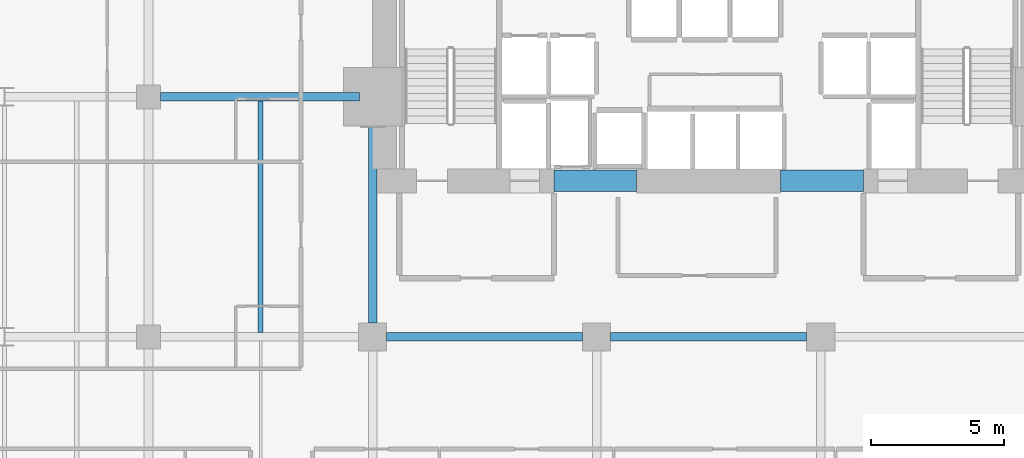
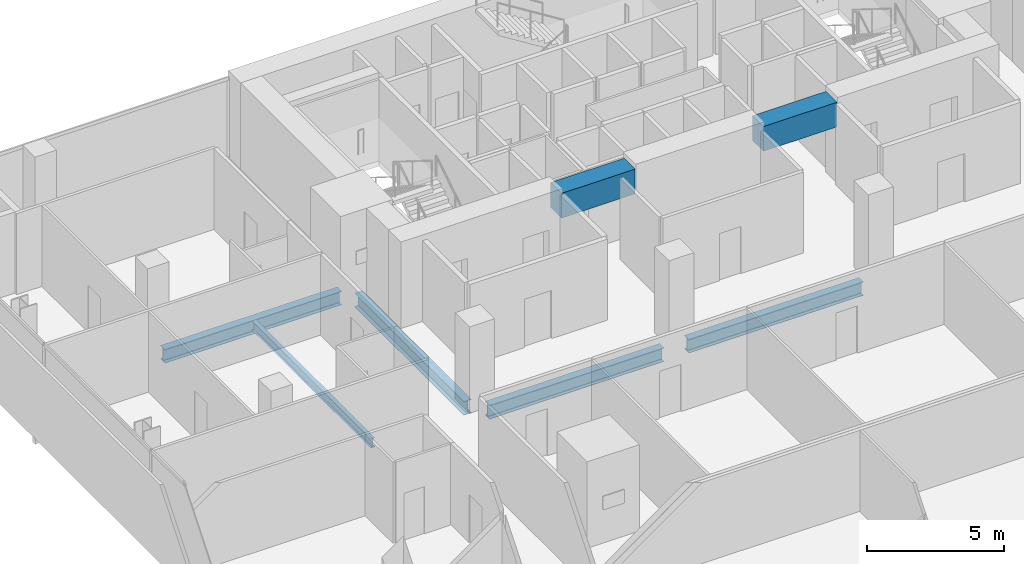
# One storey, part 24 of 40: 7 beams.
"""IFC4 building model written with IfcOpenShell, lengths in metres."""

from ifc_helpers import new_model, si_unit, direction, frame, origin, origin_2d, place, context, subcontext, project, spatial, rectangle, i_section, extrude, material, material_profile, profile_set, type_object, element, save


model = new_model("IFC4")

# Units and contexts
model_context = context("Model", 3, precision=1e-05, world=origin(), true_north=direction((0.0, 1.0)))
body_context = subcontext(model_context, "Body", "Model", "MODEL_VIEW")
ifc_project = project(units=[si_unit("LENGTHUNIT", "METRE"), si_unit("AREAUNIT", "SQUARE_METRE"), si_unit("VOLUMEUNIT", "CUBIC_METRE"), si_unit("PLANEANGLEUNIT", "RADIAN"), si_unit("MASSUNIT", "GRAM", prefix="KILO")], contexts=[model_context])

# Site, building, storey
site_placement = place(None, origin())
site = spatial("IfcSite", under=ifc_project, at=site_placement, CompositionType="ELEMENT")
building_placement = place(site_placement, origin())
building = spatial("IfcBuilding", under=site, at=building_placement, Name="Maruvema Waterfront Hotel and Observation Tower", CompositionType="ELEMENT")
storey_placement = place(building_placement, frame((0.0, 0.0, 88.550048828125)))
storey = spatial("IfcBuildingStorey", under=building, at=storey_placement, Name="L21", CompositionType="ELEMENT", Elevation=88.550048828125)

# Beams
ifc_material_1 = material(Name="Concrete C60/75", Category="concrete")
ifc_material_profile_1 = material_profile(ifc_material_1, rectangle(XDim=0.800048828125, YDim=1.10009765625, at=origin_2d()), Name="CB800x1100")
ifc_profile_set_1 = profile_set([ifc_material_profile_1], Name="Concrete C60/75")
beam_type_1 = type_object("IfcBeamType", Name="Core Coupling Lintel Beam CB800x1100", PredefinedType="LINTEL", material=ifc_profile_set_1)
for number, where, z_axis, x_axis, name in (
    (1, (32.0, 41.85009765625, 3.06005859375), (1.0, 0.0, 0.0), (0.0, 1.0, 0.0), "L21 Core Coupling Lintel Beam West"),
    (2, (40.5, 41.85009765625, 3.06005859375), (1.0, 0.0, 0.0), (0.0, 1.0, 0.0), "L21 Core Coupling Lintel Beam East"),
):
    element("IfcBeam", number, at=place(storey_placement, frame(where, z_axis=z_axis, x_axis=x_axis)), inside=storey, type_object=beam_type_1, Name=name, PredefinedType="LINTEL", context=body_context, shape_type="SweptSolid", body=[
        extrude(rectangle(XDim=0.800048828125, YDim=1.10009765625, at=origin_2d()), origin(), (0.0, 0.0, 1.0), 3.10009765625),
    ])
ifc_material_2 = material(Name="Steel ASTM A572 Grade 50", Category="steel")
ifc_material_profile_2 = material_profile(ifc_material_2, i_section(OverallWidth=0.323974609375, OverallDepth=0.611083984375, WebThickness=0.0126953125, FlangeThickness=0.01904296875, FilletRadius=0.01806640625, at=origin_2d()), Name="W610x155.0")
ifc_profile_set_2 = profile_set([ifc_material_profile_2], Name="Steel ASTM A572 Grade 50")
beam_type_2 = type_object("IfcBeamType", Name="Primary Floor Girder W610x155.0", PredefinedType="BEAM", material=ifc_profile_set_2)
beam_1_placement = place(storey_placement, frame((25.72509765625, 36.0, -0.545654296875), z_axis=(1.0, 0.0, 0.0), x_axis=(0.0, 1.0, 0.0)))
element("IfcBeam", 3, at=beam_1_placement, inside=storey, type_object=beam_type_2, Name="L21 Floor Girder EW-27", PredefinedType="BEAM", context=body_context, shape_type="SweptSolid", body=[
    extrude(i_section(OverallWidth=0.323974609375, OverallDepth=0.611083984375, WebThickness=0.0126953125, FlangeThickness=0.01904296875, FilletRadius=0.01806640625, at=origin_2d()), origin(), (0.0, 0.0, 1.0), 7.349853515625),
])
beam_2_placement = place(storey_placement, frame((34.125, 36.0, -0.545654296875), z_axis=(1.0, 0.0, 0.0), x_axis=(0.0, 1.0, 0.0)))
element("IfcBeam", 4, at=beam_2_placement, inside=storey, type_object=beam_type_2, Name="L21 Floor Girder EW-28", PredefinedType="BEAM", context=body_context, shape_type="SweptSolid", body=[
    extrude(i_section(OverallWidth=0.323974609375, OverallDepth=0.611083984375, WebThickness=0.0126953125, FlangeThickness=0.01904296875, FilletRadius=0.01806640625, at=origin_2d()), origin(), (0.0, 0.0, 1.0), 7.35009765625),
])
beam_3_placement = place(storey_placement, frame((17.25, 45.0, -0.545654296875), z_axis=(1.0, 0.0, 0.0), x_axis=(0.0, 1.0, 0.0)))
element("IfcBeam", 5, at=beam_3_placement, inside=storey, type_object=beam_type_2, Name="L21 Floor Girder EW-33", PredefinedType="BEAM", context=body_context, shape_type="SweptSolid", body=[
    extrude(i_section(OverallWidth=0.323974609375, OverallDepth=0.611083984375, WebThickness=0.0126953125, FlangeThickness=0.01904296875, FilletRadius=0.01806640625, at=origin_2d()), origin(), (0.0, 0.0, 1.0), 7.449951171875),
])
beam_4_placement = place(storey_placement, frame((25.199951171875, 36.52490234375, -0.545654296875), z_axis=(0.0, 1.0, 0.0), x_axis=(-1.0, 0.0, 0.0)))
element("IfcBeam", 6, at=beam_4_placement, inside=storey, type_object=beam_type_2, Name="L21 Floor Girder NS-15", PredefinedType="BEAM", context=body_context, shape_type="SweptSolid", body=[
    extrude(i_section(OverallWidth=0.323974609375, OverallDepth=0.611083984375, WebThickness=0.0126953125, FlangeThickness=0.01904296875, FilletRadius=0.01806640625, at=origin_2d()), origin(), (0.0, 0.0, 1.0), 7.97509765625),
])
ifc_material_3 = material(Name="Steel ASTM A572 Grade 50", Category="steel")
ifc_material_profile_3 = material_profile(ifc_material_3, i_section(OverallWidth=0.177001953125, OverallDepth=0.403076171875, WebThickness=0.007568359375, FlangeThickness=0.010986328125, FilletRadius=0.014892578125, at=origin_2d()), Name="W410x53.0")
ifc_profile_set_3 = profile_set([ifc_material_profile_3], Name="Steel ASTM A572 Grade 50")
beam_type_3 = type_object("IfcBeamType", Name="Secondary Floor Joist W410x53.0", PredefinedType="JOIST", material=ifc_profile_set_3)
beam_5_placement = place(storey_placement, frame((21.0, 36.162109375, -0.441650390625), z_axis=(0.0, 1.0, 0.0), x_axis=(-1.0, 0.0, 0.0)))
element("IfcBeam", 7, at=beam_5_placement, inside=storey, type_object=beam_type_3, Name="L21 Secondary Floor Joist JS-09", PredefinedType="JOIST", context=body_context, shape_type="SweptSolid", body=[
    extrude(i_section(OverallWidth=0.177001953125, OverallDepth=0.403076171875, WebThickness=0.007568359375, FlangeThickness=0.010986328125, FilletRadius=0.014892578125, at=origin_2d()), origin(), (0.0, 0.0, 1.0), 8.67578125),
])

save(model, "model.ifc")
